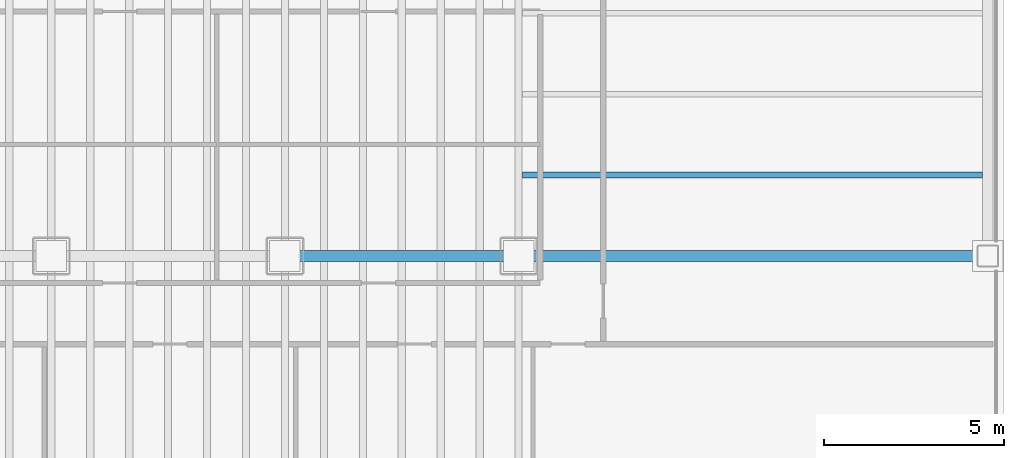
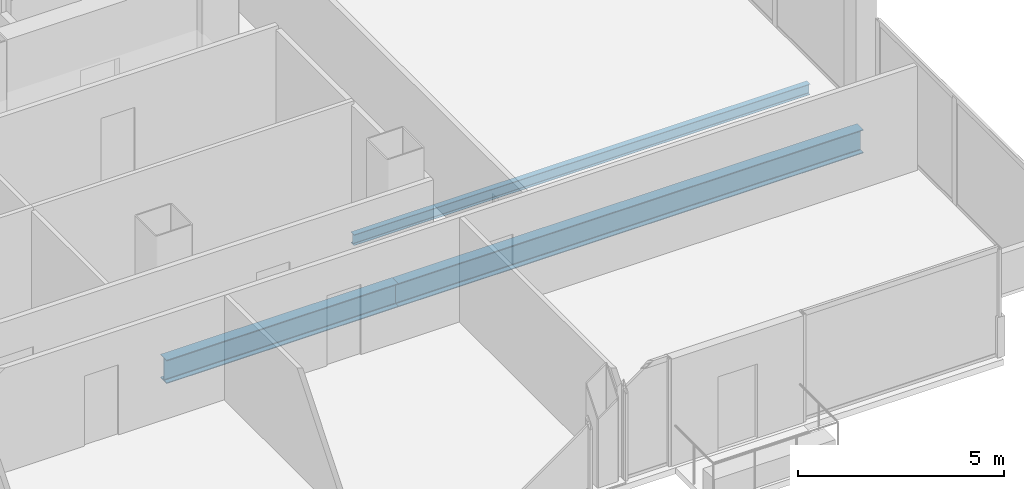
# One storey, part 10 of 22: 3 beams.
"""IFC4 building model written with IfcOpenShell, lengths in metres."""

from ifc_helpers import new_model, si_unit, direction, frame, origin, origin_2d, place, context, subcontext, project, spatial, i_section, extrude, material, material_profile, profile_set, type_object, element, save


model = new_model("IFC4")

# Units and contexts
model_context = context("Model", 3, precision=1e-05, world=origin(), true_north=direction((0.0, 1.0)))
body_context = subcontext(model_context, "Body", "Model", "MODEL_VIEW")
ifc_project = project(units=[si_unit("LENGTHUNIT", "METRE"), si_unit("AREAUNIT", "SQUARE_METRE"), si_unit("VOLUMEUNIT", "CUBIC_METRE"), si_unit("PLANEANGLEUNIT", "RADIAN"), si_unit("MASSUNIT", "GRAM", prefix="KILO")], contexts=[model_context])

# Site, building, storey
site_placement = place(None, origin())
site = spatial("IfcSite", under=ifc_project, at=site_placement, CompositionType="ELEMENT")
building_placement = place(site_placement, origin())
building = spatial("IfcBuilding", under=site, at=building_placement, Name="Noeulbin Bourse Tower", CompositionType="ELEMENT")
storey_placement = place(building_placement, frame((0.0, 0.0, 85.0)))
storey = spatial("IfcBuildingStorey", under=building, at=storey_placement, Name="L21", CompositionType="ELEMENT", Elevation=85.0)

# Beams
ifc_material = material(Name="Steel S355", Category="steel")
ifc_material_profile_1 = material_profile(ifc_material, i_section(OverallWidth=0.300048828125, OverallDepth=0.699951171875, WebThickness=0.012939453125, FlangeThickness=0.02392578125, FilletRadius=0.02392578125, at=origin_2d()), Name="H-700x300x13x24", Category="LoadBearing")
ifc_profile_set_1 = profile_set([ifc_material_profile_1], Name="Steel S355")
beam_type_1 = type_object("IfcBeamType", Name="BM-GRD-700", PredefinedType="USERDEFINED", material=ifc_profile_set_1)
beam_1_placement = place(storey_placement, frame((37.5, 20.0, -0.530029296875), z_axis=(1.0, 0.0, 0.0), x_axis=(0.0, 1.0, 0.0)))
element("IfcBeam", 1, at=beam_1_placement, inside=storey, type_object=beam_type_1, Name="Tower Primary Girder EW L21-1.5", ObjectType="GIRDER", PredefinedType="USERDEFINED", context=body_context, shape_type="SweptSolid", body=[
    extrude(i_section(OverallWidth=0.300048828125, OverallDepth=0.699951171875, WebThickness=0.012939453125, FlangeThickness=0.02392578125, FilletRadius=0.02392578125, at=origin_2d()), origin(), (0.0, 0.0, 1.0), 6.5),
])
beam_2_placement = place(storey_placement, frame((44.0, 20.0, -0.530029296875), z_axis=(1.0, 0.0, 0.0), x_axis=(0.0, 1.0, 0.0)))
element("IfcBeam", 2, at=beam_2_placement, inside=storey, type_object=beam_type_1, Name="Tower Primary Girder EW L21-1.6", ObjectType="GIRDER", PredefinedType="USERDEFINED", context=body_context, shape_type="SweptSolid", body=[
    extrude(i_section(OverallWidth=0.300048828125, OverallDepth=0.699951171875, WebThickness=0.012939453125, FlangeThickness=0.02392578125, FilletRadius=0.02392578125, at=origin_2d()), origin(), (0.0, 0.0, 1.0), 13.050048828125),
])
ifc_material_profile_2 = material_profile(ifc_material, i_section(OverallWidth=0.159912109375, OverallDepth=0.320068359375, WebThickness=0.006591796875, FlangeThickness=0.010009765625, FilletRadius=0.012939453125, at=origin_2d()), Name="H-320x160x6.5x10", Category="LoadBearing")
ifc_profile_set_2 = profile_set([ifc_material_profile_2], Name="Steel S355")
beam_type_2 = type_object("IfcBeamType", Name="BM-JST-320", PredefinedType="JOIST", material=ifc_profile_set_2)
beam_3_placement = place(storey_placement, frame((44.10009765625, 22.25, -0.340087890625), z_axis=(1.0, 0.0, 0.0), x_axis=(0.0, 1.0, 0.0)))
element("IfcBeam", 3, at=beam_3_placement, inside=storey, type_object=beam_type_2, Name="Wing Composite Joist L21-E76", PredefinedType="JOIST", context=body_context, shape_type="SweptSolid", body=[
    extrude(i_section(OverallWidth=0.159912109375, OverallDepth=0.320068359375, WebThickness=0.006591796875, FlangeThickness=0.010009765625, FilletRadius=0.012939453125, at=origin_2d()), origin(), (0.0, 0.0, 1.0), 12.7998046875),
])

save(model, "model.ifc")
